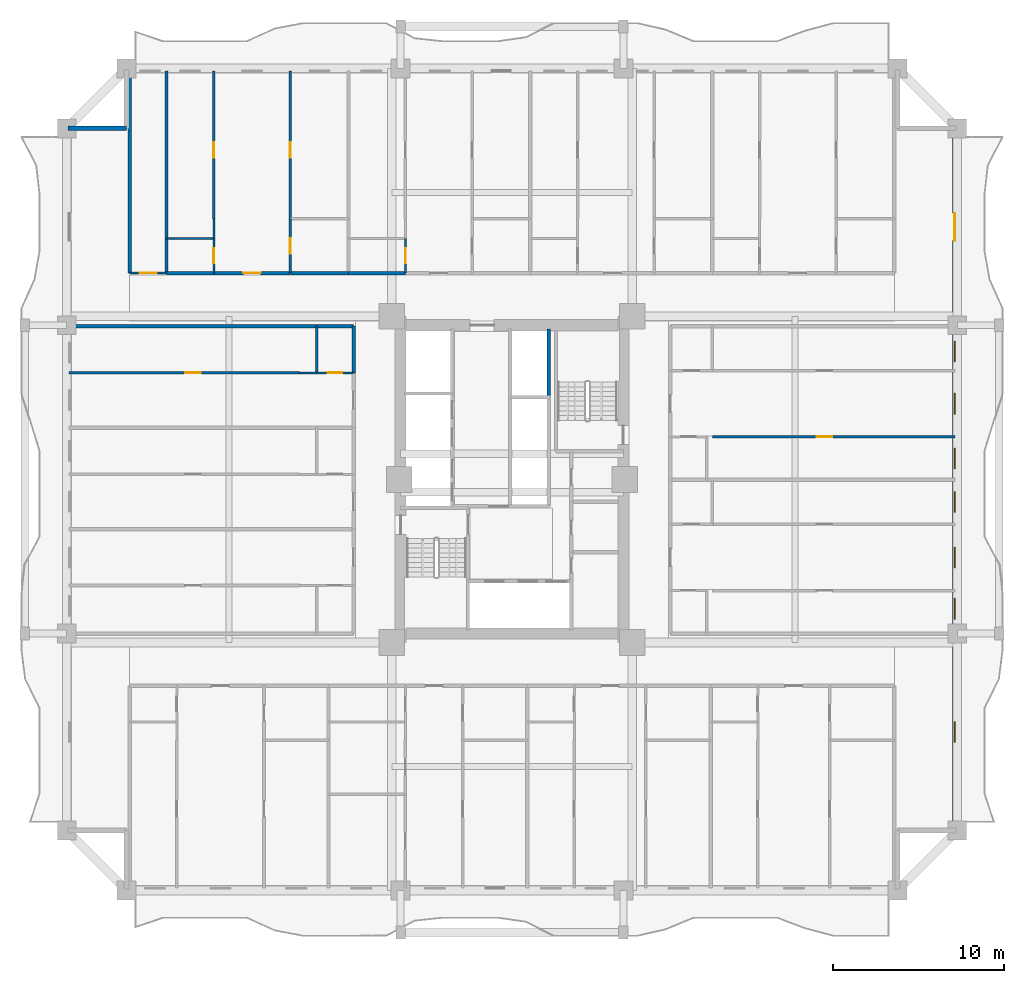
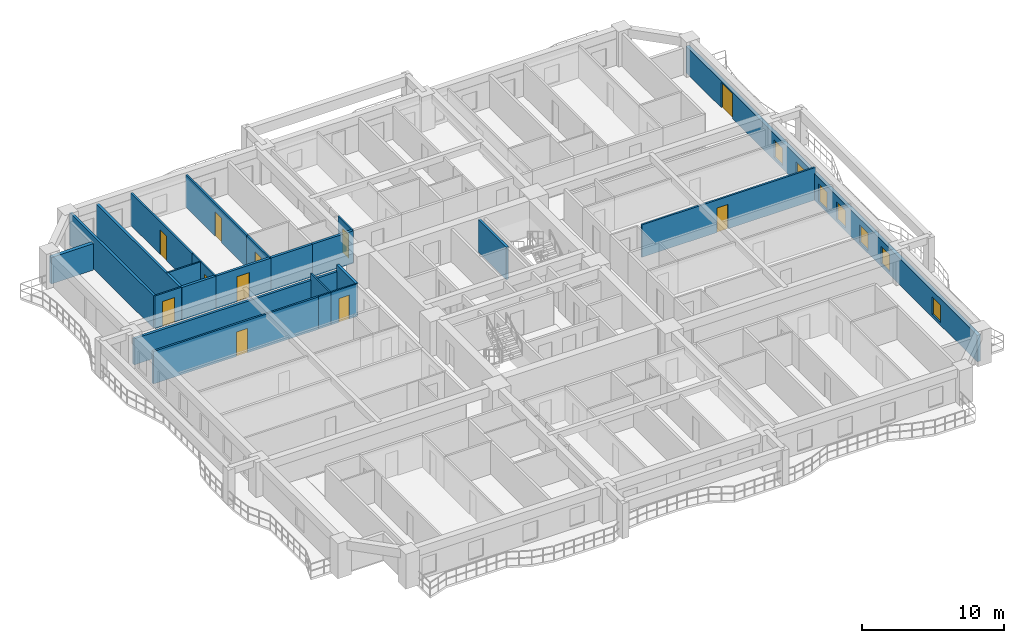
# One storey, part 6 of 16: 24 walls, 11 doors, 7 windows, 18 openings.
"""IFC4 building model written with IfcOpenShell, lengths in metres."""

from ifc_helpers import new_model, si_unit, direction, frame, frame_2d, origin, place, context, subcontext, project, spatial, rectangle, extrude, source, transform, mapped, material, layer, layer_set, type_object, element, fill, save


model = new_model("IFC4")

# Units and contexts
model_context = context("Model", 3, precision=1e-05, world=origin(), true_north=direction((0.0, 1.0)))
body_context = subcontext(model_context, "Body", "Model", "MODEL_VIEW")
ifc_project = project(units=[si_unit("LENGTHUNIT", "METRE"), si_unit("AREAUNIT", "SQUARE_METRE"), si_unit("VOLUMEUNIT", "CUBIC_METRE"), si_unit("PLANEANGLEUNIT", "RADIAN"), si_unit("MASSUNIT", "GRAM", prefix="KILO")], contexts=[model_context])

# Site, building, storey
site_placement = place(None, origin())
site = spatial("IfcSite", under=ifc_project, at=site_placement, CompositionType="ELEMENT")
building_placement = place(site_placement, origin())
building = spatial("IfcBuilding", under=site, at=building_placement, Name="Saelheon Loggia Tower", CompositionType="ELEMENT")
storey_placement = place(building_placement, frame((0.0, 0.0, 28.39990234375)))
storey = spatial("IfcBuildingStorey", under=building, at=storey_placement, Name="L08", CompositionType="ELEMENT", Elevation=28.39990234375)

# Wall, openings, windows, door
ifc_material_1 = material(Name="Architectural Precast Concrete C40/50", Category="concrete")
ifc_layer_1 = layer(ifc_material_1, 0.280029296875)
ifc_layer_set_1 = layer_set([ifc_layer_1], Name="Architectural Precast Concrete C40/50")
wall_type_1 = type_object("IfcWallType", Name="Wall_Ext_Loggia_280", PredefinedType="SOLIDWALL", material=ifc_layer_set_1)
wall_1_placement = place(storey_placement, frame((63.860107421875, 6.5, 0.0), z_axis=(0.0, 0.0, 1.0), x_axis=(0.0, 1.0, 0.0)))
wall_1 = element("IfcWall", 1, at=wall_1_placement, inside=storey, type_object=wall_type_1, Name="L08 East Loggia Inner Wall", PredefinedType="SOLIDWALL", context=body_context, shape_type="SweptSolid", body=[
    extrude(rectangle(XDim=41.0, YDim=0.280029296875, at=frame_2d((20.5, 0.0))), origin(), (0.0, 0.0, 1.0), 2.280029296875),
])
opening_1_placement = place(wall_1_placement, frame((5.14990234375, 0.0, 0.25)))
opening_1 = element("IfcOpeningElement", 2, at=opening_1_placement, cuts=wall_1, Name="Opening WN-03", PredefinedType="OPENING", context=body_context, shape_type="SweptSolid", body=[
    extrude(rectangle(XDim=1.199951171875, YDim=1.5, at=frame_2d((0.60009765625, 0.75))), frame((0.0, 0.152099609375, 0.0), z_axis=(0.0, -1.0, 0.0), x_axis=(1.0, 0.0, 0.0)), (0.0, 0.0, 1.0), 0.303955078125),
])
opening_2_placement = place(wall_1_placement, frame((12.3515625, 0.0, 0.25)))
opening_2 = element("IfcOpeningElement", 3, at=opening_2_placement, cuts=wall_1, Name="Opening WN-03", PredefinedType="OPENING", context=body_context, shape_type="SweptSolid", body=[
    extrude(rectangle(XDim=1.199951171875, YDim=1.5, at=frame_2d((0.60009765625, 0.75))), frame((0.0, 0.152099609375, 0.0), z_axis=(0.0, -1.0, 0.0), x_axis=(1.0, 0.0, 0.0)), (0.0, 0.0, 1.0), 0.303955078125),
])
opening_3_placement = place(wall_1_placement, frame((15.343994140625, 0.0, 0.25)))
opening_3 = element("IfcOpeningElement", 4, at=opening_3_placement, cuts=wall_1, Name="Opening WN-03", PredefinedType="OPENING", context=body_context, shape_type="SweptSolid", body=[
    extrude(rectangle(XDim=1.199951171875, YDim=1.5, at=frame_2d((0.60009765625, 0.75))), frame((0.0, 0.152099609375, 0.0), z_axis=(0.0, -1.0, 0.0), x_axis=(1.0, 0.0, 0.0)), (0.0, 0.0, 1.0), 0.303955078125),
])
opening_4_placement = place(wall_1_placement, frame((18.574951171875, 0.0, 0.25)))
opening_4 = element("IfcOpeningElement", 5, at=opening_4_placement, cuts=wall_1, Name="Opening WN-03", PredefinedType="OPENING", context=body_context, shape_type="SweptSolid", body=[
    extrude(rectangle(XDim=1.199951171875, YDim=1.5, at=frame_2d((0.60009765625, 0.75))), frame((0.0, 0.152099609375, 0.0), z_axis=(0.0, -1.0, 0.0), x_axis=(1.0, 0.0, 0.0)), (0.0, 0.0, 1.0), 0.303955078125),
])
opening_5_placement = place(wall_1_placement, frame((21.131591796875, 0.0, 0.25)))
opening_5 = element("IfcOpeningElement", 6, at=opening_5_placement, cuts=wall_1, Name="Opening WN-03", PredefinedType="OPENING", context=body_context, shape_type="SweptSolid", body=[
    extrude(rectangle(XDim=1.199951171875, YDim=1.5, at=frame_2d((0.60009765625, 0.75))), frame((0.0, 0.152099609375, 0.0), z_axis=(0.0, -1.0, 0.0), x_axis=(1.0, 0.0, 0.0)), (0.0, 0.0, 1.0), 0.303955078125),
])
opening_6_placement = place(wall_1_placement, frame((24.319091796875, 0.0, 0.25)))
opening_6 = element("IfcOpeningElement", 7, at=opening_6_placement, cuts=wall_1, Name="Opening WN-03", PredefinedType="OPENING", context=body_context, shape_type="SweptSolid", body=[
    extrude(rectangle(XDim=1.199951171875, YDim=1.5, at=frame_2d((0.60009765625, 0.75))), frame((0.0, 0.152099609375, 0.0), z_axis=(0.0, -1.0, 0.0), x_axis=(1.0, 0.0, 0.0)), (0.0, 0.0, 1.0), 0.303955078125),
])
opening_7_placement = place(wall_1_placement, frame((27.3798828125, 0.0, 0.25)))
opening_7 = element("IfcOpeningElement", 8, at=opening_7_placement, cuts=wall_1, Name="Opening WN-03", PredefinedType="OPENING", context=body_context, shape_type="SweptSolid", body=[
    extrude(rectangle(XDim=1.199951171875, YDim=1.5, at=frame_2d((0.60009765625, 0.75))), frame((0.0, 0.152099609375, 0.0), z_axis=(0.0, -1.0, 0.0), x_axis=(1.0, 0.0, 0.0)), (0.0, 0.0, 1.0), 0.303955078125),
])
opening_8_placement = place(wall_1_placement, frame((36.050048828125, 0.0, 0.0), z_axis=(0.0, 0.0, 1.0), x_axis=(-1.0, 0.0, 0.0)))
opening_8 = element("IfcOpeningElement", 9, at=opening_8_placement, cuts=wall_1, Name="Opening DLG-1", PredefinedType="OPENING", context=body_context, shape_type="SweptSolid", body=[
    extrude(rectangle(XDim=1.60009765625, YDim=2.14990234375, at=frame_2d((0.800048828125, 1.074951171875))), frame((0.0, 0.152099609375, 0.0), z_axis=(0.0, -1.0, 0.0), x_axis=(1.0, 0.0, 0.0)), (0.0, 0.0, 1.0), 0.303955078125),
])
ifc_material_2 = material(Name="Thermal-Break Aluminium and Triple Low-E Glass", Category="aluminium")
window_type = type_object("IfcWindowType", Name="Win_Bedroom_1200x1500", PartitioningType="SINGLE_PANEL", PredefinedType="WINDOW", material=ifc_material_2)
shared_shape_1 = source(origin(), body_context, "Body", "SweptSolid", [
    extrude(rectangle(XDim=1.199951171875, YDim=1.5, at=frame_2d((0.60009765625, 0.75))), frame((0.0, 0.030029296875, 0.0), z_axis=(0.0, -1.0, 0.0), x_axis=(1.0, 0.0, 0.0)), (0.0, 0.0, 1.0), 0.06005859375),
])
window_1_placement = place(opening_1_placement, origin())
window_1 = element("IfcWindow", 10, at=window_1_placement, inside=storey, type_object=window_type, Name="L08 E Dwelling Window 1", OverallHeight=1.5, OverallWidth=1.199951171875, PartitioningType="SINGLE_PANEL", PredefinedType="WINDOW", context=body_context, shape_type="MappedRepresentation", body=[
    mapped(shared_shape_1, transform((0.0, 0.0, 0.0), scale=1.0)),
])
fill(opening_1, window_1)
window_2_placement = place(opening_2_placement, origin())
window_2 = element("IfcWindow", 11, at=window_2_placement, inside=storey, type_object=window_type, Name="L08 E Dwelling Window 2", OverallHeight=1.5, OverallWidth=1.199951171875, PartitioningType="SINGLE_PANEL", PredefinedType="WINDOW", context=body_context, shape_type="MappedRepresentation", body=[
    mapped(shared_shape_1, transform((0.0, 0.0, 0.0), scale=1.0)),
])
fill(opening_2, window_2)
window_3_placement = place(opening_3_placement, origin())
window_3 = element("IfcWindow", 12, at=window_3_placement, inside=storey, type_object=window_type, Name="L08 E Dwelling Window 3", OverallHeight=1.5, OverallWidth=1.199951171875, PartitioningType="SINGLE_PANEL", PredefinedType="WINDOW", context=body_context, shape_type="MappedRepresentation", body=[
    mapped(shared_shape_1, transform((0.0, 0.0, 0.0), scale=1.0)),
])
fill(opening_3, window_3)
window_4_placement = place(opening_4_placement, origin())
window_4 = element("IfcWindow", 13, at=window_4_placement, inside=storey, type_object=window_type, Name="L08 E Dwelling Window 4", OverallHeight=1.5, OverallWidth=1.199951171875, PartitioningType="SINGLE_PANEL", PredefinedType="WINDOW", context=body_context, shape_type="MappedRepresentation", body=[
    mapped(shared_shape_1, transform((0.0, 0.0, 0.0), scale=1.0)),
])
fill(opening_4, window_4)
window_5_placement = place(opening_5_placement, origin())
window_5 = element("IfcWindow", 14, at=window_5_placement, inside=storey, type_object=window_type, Name="L08 E Dwelling Window 5", OverallHeight=1.5, OverallWidth=1.199951171875, PartitioningType="SINGLE_PANEL", PredefinedType="WINDOW", context=body_context, shape_type="MappedRepresentation", body=[
    mapped(shared_shape_1, transform((0.0, 0.0, 0.0), scale=1.0)),
])
fill(opening_5, window_5)
window_6_placement = place(opening_6_placement, origin())
window_6 = element("IfcWindow", 15, at=window_6_placement, inside=storey, type_object=window_type, Name="L08 E Dwelling Window 6", OverallHeight=1.5, OverallWidth=1.199951171875, PartitioningType="SINGLE_PANEL", PredefinedType="WINDOW", context=body_context, shape_type="MappedRepresentation", body=[
    mapped(shared_shape_1, transform((0.0, 0.0, 0.0), scale=1.0)),
])
fill(opening_6, window_6)
window_7_placement = place(opening_7_placement, origin())
window_7 = element("IfcWindow", 16, at=window_7_placement, inside=storey, type_object=window_type, Name="L08 E Dwelling Window 7", OverallHeight=1.5, OverallWidth=1.199951171875, PartitioningType="SINGLE_PANEL", PredefinedType="WINDOW", context=body_context, shape_type="MappedRepresentation", body=[
    mapped(shared_shape_1, transform((0.0, 0.0, 0.0), scale=1.0)),
])
fill(opening_7, window_7)
ifc_material_3 = material(Name="Thermal-Break Aluminium Sliding Glazed Door", Category="aluminium")
door_type_1 = type_object("IfcDoorType", Name="Door_LoggiaSlide_1600", OperationType="SLIDING_TO_LEFT", PredefinedType="DOOR", material=ifc_material_3)
shared_shape_2 = source(origin(), body_context, "Body", "SweptSolid", [
    extrude(rectangle(XDim=1.60009765625, YDim=2.14990234375, at=frame_2d((0.800048828125, 1.074951171875))), frame((0.0, 0.02490234375, 0.0), z_axis=(0.0, -1.0, 0.0), x_axis=(1.0, 0.0, 0.0)), (0.0, 0.0, 1.0), 0.050048828125),
])
door_1_placement = place(opening_8_placement, origin())
door_1 = element("IfcDoor", 17, at=door_1_placement, inside=storey, type_object=door_type_1, Name="L08 E Loggia Access Door", OperationType="SLIDING_TO_LEFT", OverallHeight=2.14990234375, OverallWidth=1.60009765625, PredefinedType="DOOR", context=body_context, shape_type="MappedRepresentation", body=[
    mapped(shared_shape_2, transform((0.0, 0.0, 0.0), scale=1.0)),
])
fill(opening_8, door_1)

# Wall
wall_2_placement = place(storey_placement, frame((12.080078125, 47.5, 0.0), z_axis=(0.0, 0.0, 1.0), x_axis=(1.0, 0.0, 0.0)))
element("IfcWall", 18, at=wall_2_placement, inside=storey, type_object=wall_type_1, Name="L08 Corner Notch Precast Wall NW2", PredefinedType="SOLIDWALL", context=body_context, shape_type="SweptSolid", body=[
    extrude(rectangle(XDim=3.419921875, YDim=0.280029296875, at=frame_2d((1.7099609375, 0.0))), origin(), (0.0, 0.0, 1.0), 2.280029296875),
])

# Wall, opening, door
ifc_material_4 = material(Name="Lightweight Autoclaved Aerated Concrete Block and Acoustic Gypsum", Category="concrete")
ifc_layer_2 = layer(ifc_material_4, 0.14990234375)
ifc_layer_set_2 = layer_set([ifc_layer_2], Name="Lightweight Autoclaved Aerated Concrete Block and Acoustic Gypsum")
wall_type_2 = type_object("IfcWallType", Name="Wall_Part_150", PredefinedType="PARTITIONING", material=ifc_layer_set_2)
wall_3_placement = place(storey_placement, frame((20.591796875, 42.219970703125, 0.0), z_axis=(0.0, 0.0, 1.0), x_axis=(0.0, 1.0, 0.0)))
wall_3 = element("IfcWall", 19, at=wall_3_placement, inside=storey, type_object=wall_type_2, Name="L08 N Partition U12", PredefinedType="PARTITIONING", context=body_context, shape_type="SweptSolid", body=[
    extrude(rectangle(XDim=8.630126953125, YDim=0.14990234375, at=frame_2d((4.31494140625, 0.0))), origin(), (0.0, 0.0, 1.0), 2.7900390625),
])
opening_9_placement = place(wall_3_placement, frame((3.56298828125, 0.0, 0.0)))
opening_9 = element("IfcOpeningElement", 20, at=opening_9_placement, cuts=wall_3, Name="Opening D-IN2", PredefinedType="OPENING", context=body_context, shape_type="SweptSolid", body=[
    extrude(rectangle(XDim=0.89990234375, YDim=2.10009765625, at=frame_2d((0.449951171875, 1.050048828125))), frame((0.0, 0.0869140625, 0.0), z_axis=(0.0, -1.0, 0.0), x_axis=(1.0, 0.0, 0.0)), (0.0, 0.0, 1.0), 0.173828125),
])
ifc_material_5 = material(Name="Engineered Oak Flush Door", Category="timber")
door_type_2 = type_object("IfcDoorType", Name="Door_Int_900", OperationType="NOTDEFINED", PredefinedType="DOOR", material=ifc_material_5)
shared_shape_3 = source(origin(), body_context, "Body", "SweptSolid", [
    extrude(rectangle(XDim=0.89990234375, YDim=2.10009765625, at=frame_2d((0.449951171875, 1.050048828125))), frame((0.0, 0.02490234375, 0.0), z_axis=(0.0, -1.0, 0.0), x_axis=(1.0, 0.0, 0.0)), (0.0, 0.0, 1.0), 0.050048828125),
])
door_2_placement = place(opening_9_placement, origin())
door_2 = element("IfcDoor", 21, at=door_2_placement, inside=storey, type_object=door_type_2, Name="Unit U05 Bedroom 2 Door", OperationType="SINGLE_SWING_LEFT", OverallHeight=2.10009765625, OverallWidth=0.89990234375, PredefinedType="DOOR", context=body_context, shape_type="MappedRepresentation", body=[
    mapped(shared_shape_3, transform((0.0, 0.0, 0.0), scale=1.0)),
])
fill(opening_9, door_2)

wall_4_placement = place(storey_placement, frame((25.05322265625, 39.050048828125, 0.0), z_axis=(0.0, 0.0, 1.0), x_axis=(0.0, 1.0, 0.0)))
wall_4 = element("IfcWall", 22, at=wall_4_placement, inside=storey, type_object=wall_type_2, Name="L08 N Partition U13", PredefinedType="PARTITIONING", context=body_context, shape_type="SweptSolid", body=[
    extrude(rectangle(XDim=3.169921875, YDim=0.14990234375, at=frame_2d((1.5849609375, 0.0))), origin(), (0.0, 0.0, 1.0), 2.7900390625),
])
opening_10_placement = place(wall_4_placement, frame((1.135009765625, 0.0, 0.0)))
opening_10 = element("IfcOpeningElement", 23, at=opening_10_placement, cuts=wall_4, Name="Opening D-IN2", PredefinedType="OPENING", context=body_context, shape_type="SweptSolid", body=[
    extrude(rectangle(XDim=0.89990234375, YDim=2.10009765625, at=frame_2d((0.449951171875, 1.050048828125))), frame((0.0, 0.0869140625, 0.0), z_axis=(0.0, -1.0, 0.0), x_axis=(1.0, 0.0, 0.0)), (0.0, 0.0, 1.0), 0.173828125),
])
door_3_placement = place(opening_10_placement, origin())
door_3 = element("IfcDoor", 24, at=door_3_placement, inside=storey, type_object=door_type_2, Name="Unit U05 Kitchen Door", OperationType="SINGLE_SWING_RIGHT", OverallHeight=2.10009765625, OverallWidth=0.89990234375, PredefinedType="DOOR", context=body_context, shape_type="MappedRepresentation", body=[
    mapped(shared_shape_3, transform((0.0, 0.0, 0.0), scale=1.0)),
])
fill(opening_10, door_3)

wall_5_placement = place(storey_placement, frame((25.05322265625, 42.219970703125, 0.0), z_axis=(0.0, 0.0, 1.0), x_axis=(0.0, 1.0, 0.0)))
wall_5 = element("IfcWall", 25, at=wall_5_placement, inside=storey, type_object=wall_type_2, Name="L08 N Partition U14", PredefinedType="PARTITIONING", context=body_context, shape_type="SweptSolid", body=[
    extrude(rectangle(XDim=8.630126953125, YDim=0.14990234375, at=frame_2d((4.31494140625, 0.0))), origin(), (0.0, 0.0, 1.0), 2.7900390625),
])
opening_11_placement = place(wall_5_placement, frame((3.56298828125, 0.0, 0.0)))
opening_11 = element("IfcOpeningElement", 26, at=opening_11_placement, cuts=wall_5, Name="Opening D-IN2", PredefinedType="OPENING", context=body_context, shape_type="SweptSolid", body=[
    extrude(rectangle(XDim=0.89990234375, YDim=2.10009765625, at=frame_2d((0.449951171875, 1.050048828125))), frame((0.0, 0.0869140625, 0.0), z_axis=(0.0, -1.0, 0.0), x_axis=(1.0, 0.0, 0.0)), (0.0, 0.0, 1.0), 0.173828125),
])
door_4_placement = place(opening_11_placement, origin())
door_4 = element("IfcDoor", 27, at=door_4_placement, inside=storey, type_object=door_type_2, Name="Unit U05 Bedroom 1 Door", OperationType="SINGLE_SWING_LEFT", OverallHeight=2.10009765625, OverallWidth=0.89990234375, PredefinedType="DOOR", context=body_context, shape_type="MappedRepresentation", body=[
    mapped(shared_shape_3, transform((0.0, 0.0, 0.0), scale=1.0)),
])
fill(opening_11, door_4)

wall_6_placement = place(storey_placement, frame((25.580078125, 33.22509765625, 0.0), z_axis=(0.0, 0.0, 1.0), x_axis=(-1.0, 0.0, 0.0)))
wall_6 = element("IfcWall", 28, at=wall_6_placement, inside=storey, type_object=wall_type_2, Name="L08 W Partition U22", PredefinedType="PARTITIONING", context=body_context, shape_type="SweptSolid", body=[
    extrude(rectangle(XDim=13.43017578125, YDim=0.14990234375, at=frame_2d((6.715087890625, 0.0))), origin(), (0.0, 0.0, 1.0), 2.7900390625),
])
opening_12_placement = place(wall_6_placement, frame((5.762939453125, 0.0, 0.0)))
opening_12 = element("IfcOpeningElement", 29, at=opening_12_placement, cuts=wall_6, Name="Opening D-IN2", PredefinedType="OPENING", context=body_context, shape_type="SweptSolid", body=[
    extrude(rectangle(XDim=0.89990234375, YDim=2.10009765625, at=frame_2d((0.449951171875, 1.050048828125))), frame((0.0, 0.0869140625, 0.0), z_axis=(0.0, -1.0, 0.0), x_axis=(1.0, 0.0, 0.0)), (0.0, 0.0, 1.0), 0.173828125),
])
door_5_placement = place(opening_12_placement, origin())
door_5 = element("IfcDoor", 30, at=door_5_placement, inside=storey, type_object=door_type_2, Name="Unit U11 Kitchen Door", OperationType="SINGLE_SWING_LEFT", OverallHeight=2.10009765625, OverallWidth=0.89990234375, PredefinedType="DOOR", context=body_context, shape_type="MappedRepresentation", body=[
    mapped(shared_shape_3, transform((0.0, 0.0, 0.0), scale=1.0)),
])
fill(opening_12, door_5)

wall_7_placement = place(storey_placement, frame((49.699951171875, 29.488037109375, 0.0), z_axis=(0.0, 0.0, 1.0), x_axis=(1.0, 0.0, 0.0)))
wall_7 = element("IfcWall", 31, at=wall_7_placement, inside=storey, type_object=wall_type_2, Name="L08 E Partition U19", PredefinedType="PARTITIONING", context=body_context, shape_type="SweptSolid", body=[
    extrude(rectangle(XDim=14.150146484375, YDim=0.14990234375, at=frame_2d((7.0751953125, 0.0))), origin(), (0.0, 0.0, 1.0), 2.7900390625),
])
opening_13_placement = place(wall_7_placement, frame((6.093017578125, 0.0, 0.0)))
opening_13 = element("IfcOpeningElement", 32, at=opening_13_placement, cuts=wall_7, Name="Opening D-IN2", PredefinedType="OPENING", context=body_context, shape_type="SweptSolid", body=[
    extrude(rectangle(XDim=0.89990234375, YDim=2.10009765625, at=frame_2d((0.449951171875, 1.050048828125))), frame((0.0, 0.0869140625, 0.0), z_axis=(0.0, -1.0, 0.0), x_axis=(1.0, 0.0, 0.0)), (0.0, 0.0, 1.0), 0.173828125),
])
door_6_placement = place(opening_13_placement, origin())
door_6 = element("IfcDoor", 33, at=door_6_placement, inside=storey, type_object=door_type_2, Name="Unit U13 Kitchen Door", OperationType="SINGLE_SWING_LEFT", OverallHeight=2.10009765625, OverallWidth=0.89990234375, PredefinedType="DOOR", context=body_context, shape_type="MappedRepresentation", body=[
    mapped(shared_shape_3, transform((0.0, 0.0, 0.0), scale=1.0)),
])
fill(opening_13, door_6)

# Walls
ifc_material_6 = material(Name="Double Acoustic Stud and Fireboard Partition", Category="gypsum")
ifc_layer_3 = layer(ifc_material_6, 0.199951171875)
ifc_layer_set_3 = layer_set([ifc_layer_3], Name="Double Acoustic Stud and Fireboard Partition")
wall_type_3 = type_object("IfcWallType", Name="Wall_Party_200", PredefinedType="PARTITIONING", material=ifc_layer_set_3)
for number, where, z_axis, x_axis, name in (
    (34, (15.679931640625, 39.050048828125, 0.0), (0.0, 0.0, 1.0), (0.0, 1.0, 0.0), "L08 N Partition U01"),
    (35, (17.830078125, 39.050048828125, 0.0), (0.0, 0.0, 1.0), (0.0, 1.0, 0.0), "L08 N Partition U03"),
):
    element("IfcWall", number, at=place(storey_placement, frame(where, z_axis=z_axis, x_axis=x_axis)), inside=storey, type_object=wall_type_3, Name=name, PredefinedType="PARTITIONING", context=body_context, shape_type="SweptSolid", body=[
        extrude(rectangle(XDim=11.800048828125, YDim=0.199951171875, at=frame_2d((5.89990234375, 0.0))), origin(), (0.0, 0.0, 1.0), 2.7900390625),
    ])
wall_8_placement = place(storey_placement, frame((17.830078125, 39.050048828125, 0.0), z_axis=(0.0, 0.0, 1.0), x_axis=(1.0, 0.0, 0.0)))
element("IfcWall", 36, at=wall_8_placement, inside=storey, type_object=wall_type_3, Name="L08 N Partition V05", PredefinedType="PARTITIONING", context=body_context, shape_type="SweptSolid", body=[
    extrude(rectangle(XDim=2.76171875, YDim=0.199951171875, at=frame_2d((1.380859375, 0.0))), origin(), (0.0, 0.0, 1.0), 2.7900390625),
])

# Wall, opening, door
wall_9_placement = place(storey_placement, frame((20.591796875, 39.050048828125, 0.0), z_axis=(0.0, 0.0, 1.0), x_axis=(1.0, 0.0, 0.0)))
wall_9 = element("IfcWall", 37, at=wall_9_placement, inside=storey, type_object=wall_type_3, Name="L08 N Partition V06", PredefinedType="PARTITIONING", context=body_context, shape_type="SweptSolid", body=[
    extrude(rectangle(XDim=4.46142578125, YDim=0.199951171875, at=frame_2d((2.230712890625, 0.0))), origin(), (0.0, 0.0, 1.0), 2.7900390625),
])
opening_14_placement = place(wall_9_placement, frame((1.730712890625, 0.0, 0.0)))
opening_14 = element("IfcOpeningElement", 38, at=opening_14_placement, cuts=wall_9, Name="Opening D-FD1", PredefinedType="OPENING", context=body_context, shape_type="SweptSolid", body=[
    extrude(rectangle(XDim=1.0, YDim=2.14990234375, at=frame_2d((0.5, 1.074951171875))), frame((0.0, 0.112060546875, 0.0), z_axis=(0.0, -1.0, 0.0), x_axis=(1.0, 0.0, 0.0)), (0.0, 0.0, 1.0), 0.223876953125),
])
ifc_material_7 = material(Name="Fire-Rated Engineered Timber Entrance Door", Category="wood")
door_type_3 = type_object("IfcDoorType", Name="Door_Flat_FD30S", OperationType="NOTDEFINED", PredefinedType="DOOR", material=ifc_material_7)
shared_shape_4 = source(origin(), body_context, "Body", "SweptSolid", [
    extrude(rectangle(XDim=1.0, YDim=2.14990234375, at=frame_2d((0.5, 1.074951171875))), frame((0.0, 0.02490234375, 0.0), z_axis=(0.0, -1.0, 0.0), x_axis=(1.0, 0.0, 0.0)), (0.0, 0.0, 1.0), 0.050048828125),
])
door_7_placement = place(opening_14_placement, origin())
door_7 = element("IfcDoor", 39, at=door_7_placement, inside=storey, type_object=door_type_3, Name="Unit U05 Entrance Door", OperationType="SINGLE_SWING_LEFT", OverallHeight=2.14990234375, OverallWidth=1.0, PredefinedType="DOOR", context=body_context, shape_type="MappedRepresentation", body=[
    mapped(shared_shape_4, transform((0.0, 0.0, 0.0), scale=1.0)),
])
fill(opening_14, door_7)

# Walls
wall_10_placement = place(storey_placement, frame((25.05322265625, 39.050048828125, 0.0), z_axis=(0.0, 0.0, 1.0), x_axis=(1.0, 0.0, 0.0)))
element("IfcWall", 40, at=wall_10_placement, inside=storey, type_object=wall_type_3, Name="L08 N Partition V07", PredefinedType="PARTITIONING", context=body_context, shape_type="SweptSolid", body=[
    extrude(rectangle(XDim=3.399169921875, YDim=0.199951171875, at=frame_2d((1.69970703125, 0.0))), origin(), (0.0, 0.0, 1.0), 2.7900390625),
])
wall_11_placement = place(storey_placement, frame((28.452392578125, 39.050048828125, 0.0), z_axis=(0.0, 0.0, 1.0), x_axis=(1.0, 0.0, 0.0)))
element("IfcWall", 41, at=wall_11_placement, inside=storey, type_object=wall_type_3, Name="L08 N Partition V16", PredefinedType="PARTITIONING", context=body_context, shape_type="SweptSolid", body=[
    extrude(rectangle(XDim=3.32763671875, YDim=0.199951171875, at=frame_2d((1.663818359375, 0.0))), origin(), (0.0, 0.0, 1.0), 2.7900390625),
])
wall_12_placement = place(storey_placement, frame((28.75, 35.949951171875, 0.0), z_axis=(0.0, 0.0, 1.0), x_axis=(-1.0, 0.0, 0.0)))
element("IfcWall", 42, at=wall_12_placement, inside=storey, type_object=wall_type_3, Name="L08 W Partition U02", PredefinedType="PARTITIONING", context=body_context, shape_type="SweptSolid", body=[
    extrude(rectangle(XDim=16.60009765625, YDim=0.199951171875, at=frame_2d((8.300048828125, 0.0))), origin(), (0.0, 0.0, 1.0), 2.239990234375),
])
wall_13_placement = place(storey_placement, frame((28.75, 33.22509765625, 0.0), z_axis=(0.0, 0.0, 1.0), x_axis=(0.0, 1.0, 0.0)))
element("IfcWall", 43, at=wall_13_placement, inside=storey, type_object=wall_type_3, Name="L08 W Partition V18", PredefinedType="PARTITIONING", context=body_context, shape_type="SweptSolid", body=[
    extrude(rectangle(XDim=2.724853515625, YDim=0.199951171875, at=frame_2d((1.3623046875, 0.0))), origin(), (0.0, 0.0, 1.0), 2.7900390625),
])
ifc_material_8 = material(Name="Concrete C40/50", Category="concrete")
ifc_layer_4 = layer(ifc_material_8, 0.199951171875)
ifc_layer_set_4 = layer_set([ifc_layer_4], Name="Concrete C40/50")
wall_type_4 = type_object("IfcWallType", Name="Wall_Shaft_200", PredefinedType="PARTITIONING", material=ifc_layer_set_4)
wall_14_placement = place(storey_placement, frame((40.14990234375, 31.800048828125, 0.0), z_axis=(0.0, 0.0, 1.0), x_axis=(0.0, 1.0, 0.0)))
element("IfcWall", 44, at=wall_14_placement, inside=storey, type_object=wall_type_4, Name="L08 East High-Rise Hoistway East Wall", PredefinedType="PARTITIONING", context=body_context, shape_type="SweptSolid", body=[
    extrude(rectangle(XDim=3.97998046875, YDim=0.199951171875, at=frame_2d((1.989990234375, 0.0))), origin(), (0.0, 0.0, 1.0), 2.7900390625),
])

# Wall, opening, door
ifc_material_9 = material(Name="Moisture-Resistant Cement Board Partition", Category="gypsum")
ifc_layer_5 = layer(ifc_material_9, 0.1201171875)
ifc_layer_set_5 = layer_set([ifc_layer_5], Name="Moisture-Resistant Cement Board Partition")
wall_type_5 = type_object("IfcWallType", Name="Wall_WetPart_120", PredefinedType="PARTITIONING", material=ifc_layer_set_5)
wall_15_placement = place(storey_placement, frame((15.679931640625, 39.050048828125, 0.0), z_axis=(0.0, 0.0, 1.0), x_axis=(1.0, 0.0, 0.0)))
wall_15 = element("IfcWall", 45, at=wall_15_placement, inside=storey, type_object=wall_type_5, Name="L08 N Partition V04", PredefinedType="PARTITIONING", context=body_context, shape_type="SweptSolid", body=[
    extrude(rectangle(XDim=2.150146484375, YDim=0.1201171875, at=frame_2d((1.0751953125, 0.0))), origin(), (0.0, 0.0, 1.0), 2.7900390625),
])
opening_15_placement = place(wall_15_placement, frame((0.574951171875, 0.0, 0.0)))
opening_15 = element("IfcOpeningElement", 46, at=opening_15_placement, cuts=wall_15, Name="Opening D-AC1", PredefinedType="OPENING", context=body_context, shape_type="SweptSolid", body=[
    extrude(rectangle(XDim=1.0, YDim=2.10009765625, at=frame_2d((0.5, 1.050048828125))), frame((0.0, 0.072021484375, 0.0), z_axis=(0.0, -1.0, 0.0), x_axis=(1.0, 0.0, 0.0)), (0.0, 0.0, 1.0), 0.14404296875),
])
ifc_material_10 = material(Name="Accessible Laminate Flush Door", Category="timber")
door_type_4 = type_object("IfcDoorType", Name="Door_Acc_1000", OperationType="NOTDEFINED", PredefinedType="DOOR", material=ifc_material_10)
shared_shape_5 = source(origin(), body_context, "Body", "SweptSolid", [
    extrude(rectangle(XDim=1.0, YDim=2.10009765625, at=frame_2d((0.5, 1.050048828125))), frame((0.0, 0.02490234375, 0.0), z_axis=(0.0, -1.0, 0.0), x_axis=(1.0, 0.0, 0.0)), (0.0, 0.0, 1.0), 0.050048828125),
])
door_8_placement = place(opening_15_placement, origin())
door_8 = element("IfcDoor", 47, at=door_8_placement, inside=storey, type_object=door_type_4, Name="L08 Floor Accessible WC Door", OperationType="SINGLE_SWING_RIGHT", OverallHeight=2.10009765625, OverallWidth=1.0, PredefinedType="DOOR", context=body_context, shape_type="MappedRepresentation", body=[
    mapped(shared_shape_5, transform((0.0, 0.0, 0.0), scale=1.0)),
])
fill(opening_15, door_8)

# Wall
wall_16_placement = place(storey_placement, frame((17.830078125, 41.070068359375, 0.0), z_axis=(0.0, 0.0, 1.0), x_axis=(1.0, 0.0, 0.0)))
element("IfcWall", 48, at=wall_16_placement, inside=storey, type_object=wall_type_5, Name="L08 N Partition V08", PredefinedType="PARTITIONING", context=body_context, shape_type="SweptSolid", body=[
    extrude(rectangle(XDim=2.76171875, YDim=0.1201171875, at=frame_2d((1.380859375, 0.0))), origin(), (0.0, 0.0, 1.0), 2.7900390625),
])

# Wall, opening, door
wall_17_placement = place(storey_placement, frame((20.591796875, 39.050048828125, 0.0), z_axis=(0.0, 0.0, 1.0), x_axis=(0.0, 1.0, 0.0)))
wall_17 = element("IfcWall", 49, at=wall_17_placement, inside=storey, type_object=wall_type_5, Name="L08 N Partition U10", PredefinedType="PARTITIONING", context=body_context, shape_type="SweptSolid", body=[
    extrude(rectangle(XDim=2.02001953125, YDim=0.1201171875, at=frame_2d((1.010009765625, 0.0))), origin(), (0.0, 0.0, 1.0), 2.7900390625),
])
opening_16_placement = place(wall_17_placement, frame((0.5849609375, 0.0, 0.0)))
opening_16 = element("IfcOpeningElement", 50, at=opening_16_placement, cuts=wall_17, Name="Opening D-BT1", PredefinedType="OPENING", context=body_context, shape_type="SweptSolid", body=[
    extrude(rectangle(XDim=0.85009765625, YDim=2.050048828125, at=frame_2d((0.425048828125, 1.02490234375))), frame((0.0, 0.072021484375, 0.0), z_axis=(0.0, -1.0, 0.0), x_axis=(1.0, 0.0, 0.0)), (0.0, 0.0, 1.0), 0.14404296875),
])
ifc_material_11 = material(Name="Moisture-Resistant Laminate Timber Door", Category="wood")
door_type_5 = type_object("IfcDoorType", Name="Door_Bath_850", OperationType="NOTDEFINED", PredefinedType="DOOR", material=ifc_material_11)
shared_shape_6 = source(origin(), body_context, "Body", "SweptSolid", [
    extrude(rectangle(XDim=0.85009765625, YDim=2.050048828125, at=frame_2d((0.425048828125, 1.02490234375))), frame((0.0, 0.02490234375, 0.0), z_axis=(0.0, -1.0, 0.0), x_axis=(1.0, 0.0, 0.0)), (0.0, 0.0, 1.0), 0.050048828125),
])
door_9_placement = place(opening_16_placement, origin())
door_9 = element("IfcDoor", 51, at=door_9_placement, inside=storey, type_object=door_type_5, Name="Unit U05 Bathroom Door", OperationType="SINGLE_SWING_RIGHT", OverallHeight=2.050048828125, OverallWidth=0.85009765625, PredefinedType="DOOR", context=body_context, shape_type="MappedRepresentation", body=[
    mapped(shared_shape_6, transform((0.0, 0.0, 0.0), scale=1.0)),
])
fill(opening_16, door_9)

# Wall
wall_18_placement = place(storey_placement, frame((20.591796875, 41.070068359375, 0.0), z_axis=(0.0, 0.0, 1.0), x_axis=(0.0, 1.0, 0.0)))
element("IfcWall", 52, at=wall_18_placement, inside=storey, type_object=wall_type_5, Name="L08 N Partition U11", PredefinedType="PARTITIONING", context=body_context, shape_type="SweptSolid", body=[
    extrude(rectangle(XDim=1.14990234375, YDim=0.1201171875, at=frame_2d((0.574951171875, 0.0))), origin(), (0.0, 0.0, 1.0), 2.7900390625),
])

# Wall, opening, door
wall_19_placement = place(storey_placement, frame((31.780029296875, 39.050048828125, 0.0), z_axis=(0.0, 0.0, 1.0), x_axis=(0.0, 1.0, 0.0)))
wall_19 = element("IfcWall", 53, at=wall_19_placement, inside=storey, type_object=wall_type_5, Name="L08 N Partition U21", PredefinedType="PARTITIONING", context=body_context, shape_type="SweptSolid", body=[
    extrude(rectangle(XDim=2.02001953125, YDim=0.1201171875, at=frame_2d((1.010009765625, 0.0))), origin(), (0.0, 0.0, 1.0), 2.7900390625),
])
opening_17_placement = place(wall_19_placement, frame((0.5849609375, 0.0, 0.0)))
opening_17 = element("IfcOpeningElement", 54, at=opening_17_placement, cuts=wall_19, Name="Opening D-BT1", PredefinedType="OPENING", context=body_context, shape_type="SweptSolid", body=[
    extrude(rectangle(XDim=0.85009765625, YDim=2.050048828125, at=frame_2d((0.425048828125, 1.02490234375))), frame((0.0, 0.072021484375, 0.0), z_axis=(0.0, -1.0, 0.0), x_axis=(1.0, 0.0, 0.0)), (0.0, 0.0, 1.0), 0.14404296875),
])
door_10_placement = place(opening_17_placement, origin())
door_10 = element("IfcDoor", 55, at=door_10_placement, inside=storey, type_object=door_type_5, Name="Unit U06 Bathroom Door", OperationType="SINGLE_SWING_LEFT", OverallHeight=2.050048828125, OverallWidth=0.85009765625, PredefinedType="DOOR", context=body_context, shape_type="MappedRepresentation", body=[
    mapped(shared_shape_6, transform((0.0, 0.0, 0.0), scale=1.0)),
])
fill(opening_17, door_10)

wall_20_placement = place(storey_placement, frame((28.75, 33.22509765625, 0.0), z_axis=(0.0, 0.0, 1.0), x_axis=(-1.0, 0.0, 0.0)))
wall_20 = element("IfcWall", 56, at=wall_20_placement, inside=storey, type_object=wall_type_5, Name="L08 W Partition U19", PredefinedType="PARTITIONING", context=body_context, shape_type="SweptSolid", body=[
    extrude(rectangle(XDim=2.14990234375, YDim=0.1201171875, at=frame_2d((1.074951171875, 0.0))), origin(), (0.0, 0.0, 1.0), 2.7900390625),
])
opening_18_placement = place(wall_20_placement, frame((0.64990234375, 0.0, 0.0)))
opening_18 = element("IfcOpeningElement", 57, at=opening_18_placement, cuts=wall_20, Name="Opening D-BT1", PredefinedType="OPENING", context=body_context, shape_type="SweptSolid", body=[
    extrude(rectangle(XDim=0.85009765625, YDim=2.050048828125, at=frame_2d((0.425048828125, 1.02490234375))), frame((0.0, 0.072021484375, 0.0), z_axis=(0.0, -1.0, 0.0), x_axis=(1.0, 0.0, 0.0)), (0.0, 0.0, 1.0), 0.14404296875),
])
door_11_placement = place(opening_18_placement, origin())
door_11 = element("IfcDoor", 58, at=door_11_placement, inside=storey, type_object=door_type_5, Name="Unit U11 Bathroom Door", OperationType="SINGLE_SWING_RIGHT", OverallHeight=2.050048828125, OverallWidth=0.85009765625, PredefinedType="DOOR", context=body_context, shape_type="MappedRepresentation", body=[
    mapped(shared_shape_6, transform((0.0, 0.0, 0.0), scale=1.0)),
])
fill(opening_18, door_11)

# Walls
wall_21_placement = place(storey_placement, frame((26.60009765625, 33.22509765625, 0.0), z_axis=(0.0, 0.0, 1.0), x_axis=(-1.0, 0.0, 0.0)))
element("IfcWall", 59, at=wall_21_placement, inside=storey, type_object=wall_type_5, Name="L08 W Partition U20", PredefinedType="PARTITIONING", context=body_context, shape_type="SweptSolid", body=[
    extrude(rectangle(XDim=1.02001953125, YDim=0.1201171875, at=frame_2d((0.510009765625, 0.0))), origin(), (0.0, 0.0, 1.0), 2.7900390625),
])
wall_22_placement = place(storey_placement, frame((26.60009765625, 33.22509765625, 0.0), z_axis=(0.0, 0.0, 1.0), x_axis=(0.0, 1.0, 0.0)))
element("IfcWall", 60, at=wall_22_placement, inside=storey, type_object=wall_type_5, Name="L08 W Partition V21", PredefinedType="PARTITIONING", context=body_context, shape_type="SweptSolid", body=[
    extrude(rectangle(XDim=2.724853515625, YDim=0.1201171875, at=frame_2d((1.3623046875, 0.0))), origin(), (0.0, 0.0, 1.0), 2.7900390625),
])

save(model, "model.ifc")
